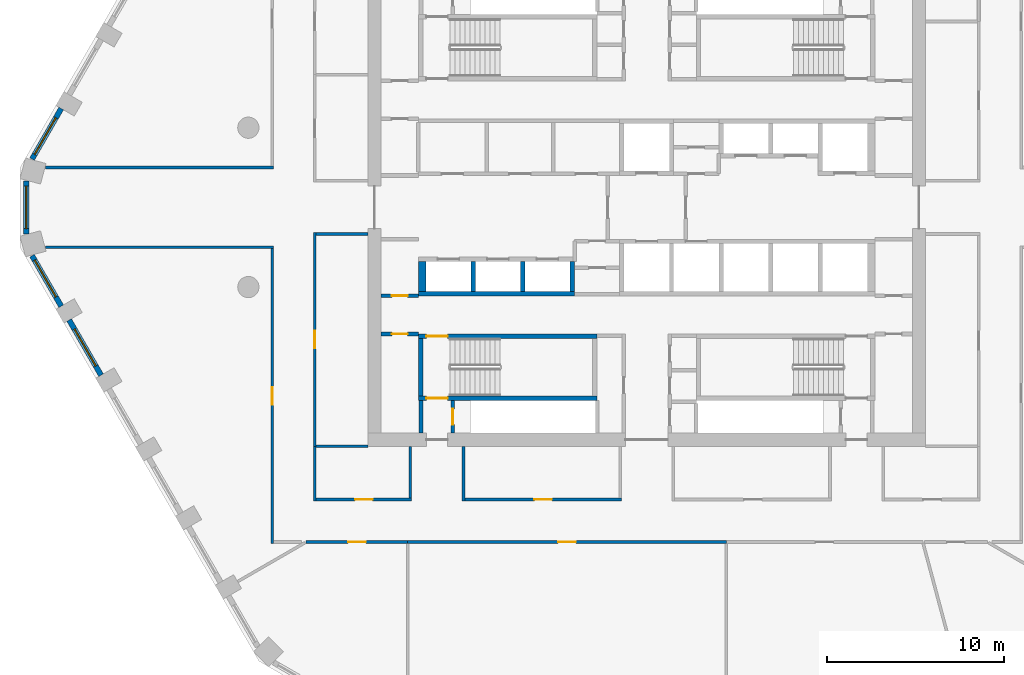
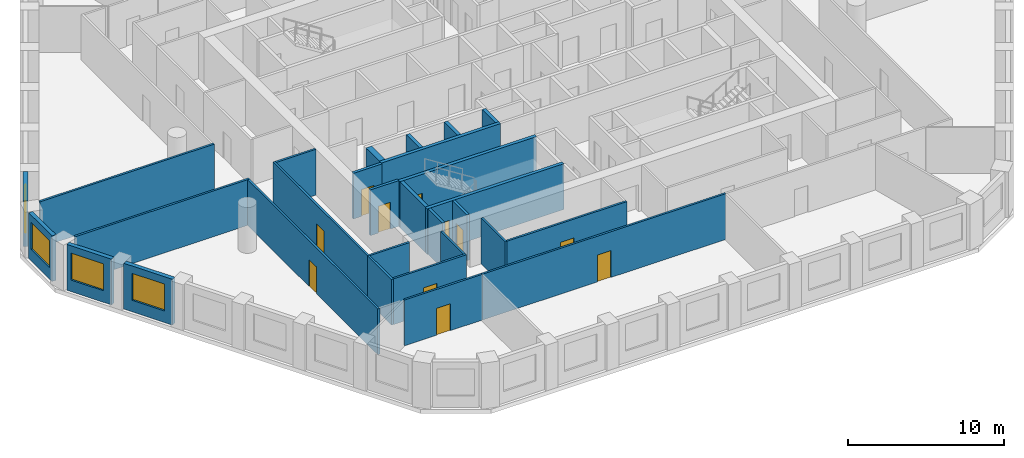
# One storey, part 2 of 10: 29 walls, 11 doors, 4 windows, 15 openings.
"""IFC4 building model written with IfcOpenShell, lengths in metres."""

import ifcopenshell
import ifcopenshell.guid

model = None  # the IFC model being written
_history = None  # IfcOwnerHistory: only IFC2X3 demands one
_inside = {}  # id of a spatial element -> (the spatial element, [elements in it])
_under = {}  # id of a project, library or spatial element -> (it, [spatial elements below it])
_declared = {}  # id of a project -> (the project, [libraries it declares])
_typed = {}  # id of a type object -> (the type object, [elements of that type])
_made_of = {}  # id of a material, layer set ... -> (it, [elements and type objects made of it])


def new_model(schema):
    """Start an empty IFC model of exactly this schema.

    Asked for "IFC4X3", IfcOpenShell would pick the latest addendum, in which some entities
    have other attributes; the version numbers below select the first issue.
    IFC2X3 requires an IfcOwnerHistory on every rooted entity: one is made here for all.
    """
    global model, _history
    if schema == "IFC4X3":
        model = ifcopenshell.file(schema_version=(4, 3, 0, 0))
    else:
        model = ifcopenshell.file(schema=schema)
    _inside.clear()
    _under.clear()
    _declared.clear()
    _typed.clear()
    _made_of.clear()
    _history = None
    if model.schema == "IFC2X3":
        org = make("IfcOrganization", Name="unknown")
        user = make(
            "IfcPersonAndOrganization",
            ThePerson=make("IfcPerson", FamilyName="unknown"),
            TheOrganization=org,
        )
        app = make(
            "IfcApplication",
            ApplicationDeveloper=org,
            Version="unknown",
            ApplicationFullName="unknown",
            ApplicationIdentifier="unknown",
        )
        _history = make(
            "IfcOwnerHistory",
            OwningUser=user,
            OwningApplication=app,
            ChangeAction="ADDED",
            CreationDate=0,
        )
    return model


def make(cls, **values):
    """One entity of the class cls with the attributes given. An attribute that is None is left unset."""
    return model.create_entity(
        cls, **{name: value for name, value in values.items() if value is not None}
    )


def rooted(cls, **values):
    """An entity with a GlobalId (a new one), such as an element, a storey or a relation."""
    return make(cls, GlobalId=ifcopenshell.guid.new(), OwnerHistory=_history, **values)


def si_unit(unit_type, name, prefix=None):
    """IfcSIUnit, for example si_unit("LENGTHUNIT", "METRE", prefix="MILLI")."""
    return make("IfcSIUnit", UnitType=unit_type, Prefix=prefix, Name=name)


def assignment(units):
    """IfcUnitAssignment: the units of a project."""
    return None if units is None else make("IfcUnitAssignment", Units=units)


def point(xyz):
    """IfcCartesianPoint."""
    return None if xyz is None else make("IfcCartesianPoint", Coordinates=xyz)


def direction(xyz):
    """IfcDirection."""
    return None if xyz is None else make("IfcDirection", DirectionRatios=xyz)


def frame(location, z_axis=None, x_axis=None):
    """IfcAxis2Placement3D, a coordinate frame: its origin and axes. An axis left out is left unset."""
    return make(
        "IfcAxis2Placement3D",
        Location=point(location),
        Axis=direction(z_axis),
        RefDirection=direction(x_axis),
    )


def frame_2d(location, x_axis=None):
    """IfcAxis2Placement2D, a coordinate frame in the plane: its origin and x axis."""
    return make(
        "IfcAxis2Placement2D", Location=point(location), RefDirection=direction(x_axis)
    )


def origin():
    """The frame at (0, 0, 0) with its axes left unset."""
    return frame((0.0, 0.0, 0.0))


def place(relative_to, where):
    """IfcLocalPlacement: puts the frame where relative to a parent placement (None: the world)."""
    return make(
        "IfcLocalPlacement", PlacementRelTo=relative_to, RelativePlacement=where
    )


def context(
    kind, dimensions, precision=None, world=None, true_north=None, identifier=None
):
    """IfcGeometricRepresentationContext, for example the 3D "Model" context."""
    return make(
        "IfcGeometricRepresentationContext",
        ContextIdentifier=identifier,
        ContextType=kind,
        CoordinateSpaceDimension=dimensions,
        Precision=precision,
        WorldCoordinateSystem=world,
        TrueNorth=true_north,
    )


def subcontext(parent, identifier, kind, view, scale=None):
    """IfcGeometricRepresentationSubContext, for example "Body" below "Model"."""
    return make(
        "IfcGeometricRepresentationSubContext",
        ContextIdentifier=identifier,
        ContextType=kind,
        ParentContext=parent,
        TargetScale=scale,
        TargetView=view,
    )


def project(units=None, contexts=None):
    """IfcProject with its units and contexts."""
    return rooted(
        "IfcProject",
        Name="project",
        RepresentationContexts=contexts,
        UnitsInContext=assignment(units),
    )


def spatial(cls, under=None, at=None, **own):
    """A site, building, storey or space (cls), placed at a placement, below another one or the project."""
    s = rooted(cls, ObjectPlacement=at, **own)
    if under is not None:
        _under.setdefault(under.id(), (under, []))[1].append(s)
    return s


def polyline(points):
    """IfcPolyline through the points."""
    return make("IfcPolyline", Points=[point(p) for p in points])


def profile(cls, at=None, kind="AREA", **sizes):
    """A parametric profile (cls). Its sizes go by their IFC names, for example OverallWidth=200.0."""
    return make(cls, ProfileType=kind, Position=at, **sizes)


def rectangle(**sizes):
    """IfcRectangleProfileDef."""
    return profile("IfcRectangleProfileDef", **sizes)


def outline(outer, holes=None, kind="AREA"):
    """IfcArbitraryClosedProfileDef: a profile drawn as a closed curve; with holes, ...WithVoids."""
    if holes is None:
        return make("IfcArbitraryClosedProfileDef", ProfileType=kind, OuterCurve=outer)
    return make(
        "IfcArbitraryProfileDefWithVoids",
        ProfileType=kind,
        OuterCurve=outer,
        InnerCurves=holes,
    )


def extrude(swept, where, along, depth):
    """IfcExtrudedAreaSolid: the profile swept, set in the frame where, extruded along a direction by depth."""
    return make(
        "IfcExtrudedAreaSolid",
        SweptArea=swept,
        Position=where,
        ExtrudedDirection=direction(along),
        Depth=depth,
    )


def shape(context_of_items, identifier, shape_type, items):
    """IfcShapeRepresentation: the items that make up one representation, for example the "Body"."""
    return make(
        "IfcShapeRepresentation",
        ContextOfItems=context_of_items,
        RepresentationIdentifier=identifier,
        RepresentationType=shape_type,
        Items=items,
    )


def material(Name=None, Category=None):
    """IfcMaterial."""
    return make("IfcMaterial", Name=Name, Category=Category)


def layer(
    of_material, thickness, ventilated=None, Name=None, Category=None, Priority=None
):
    """IfcMaterialLayer: one layer of a wall or slab, of a material (None: an air gap)."""
    return make(
        "IfcMaterialLayer",
        Material=of_material,
        LayerThickness=thickness,
        IsVentilated=ventilated,
        Name=Name,
        Category=Category,
        Priority=Priority,
    )


def layer_set(layers, Name=None):
    """IfcMaterialLayerSet."""
    return make("IfcMaterialLayerSet", MaterialLayers=layers, LayerSetName=Name)


def made_of(thing, what):
    """Note that an element or type object is made of a material, layer set ...; save() writes the relation."""
    if what is not None:
        _made_of.setdefault(what.id(), (what, []))[1].append(thing)
    return thing


def type_object(cls, material=None, **own):
    """A type object (cls), such as IfcWallType, which elements share."""
    return made_of(rooted(cls, **own), material)


def element(
    cls,
    number,
    at=None,
    inside=None,
    cuts=None,
    type_object=None,
    material=None,
    context=None,
    identifier="Body",
    shape_type=None,
    held_by="IfcProductDefinitionShape",
    body=None,
    shapes=None,
    **own,
):
    """One element of the class cls, such as IfcWall. Its Tag is "e" and its number.

    at: its placement. inside: the storey or other place that contains it. cuts: it is an
    opening in that element (IfcRelVoidsElement). A single representation is given by context,
    identifier, shape_type and body (its items); several are given by shapes. held_by: the class
    of the entity that holds the representations. save() writes the other relations.
    """
    e = rooted(cls, Tag="e%d" % number, ObjectPlacement=at, **own)
    if body is not None:
        shapes = [shape(context, identifier, shape_type, body)]
    if shapes is not None:
        e.Representation = make(held_by, Representations=shapes)
    if inside is not None:
        _inside.setdefault(inside.id(), (inside, []))[1].append(e)
    if cuts is not None:
        rooted(
            "IfcRelVoidsElement", RelatingBuildingElement=cuts, RelatedOpeningElement=e
        )
    if type_object is not None:
        _typed.setdefault(type_object.id(), (type_object, []))[1].append(e)
    return made_of(e, material)


def fill(opening, filler):
    """IfcRelFillsElement: the door or window that sits in an opening."""
    return rooted(
        "IfcRelFillsElement",
        RelatingOpeningElement=opening,
        RelatedBuildingElement=filler,
    )


def aggregate(whole, parts):
    """IfcRelAggregates: a whole, such as a stair, and the parts it consists of."""
    return rooted("IfcRelAggregates", RelatingObject=whole, RelatedObjects=parts)


def save(model, path):
    """Write the relations noted so far, then the file.

    IfcRelAggregates (storeys below a building ...), IfcRelContainedInSpatialStructure (elements
    in a storey), IfcRelDefinesByType, IfcRelAssociatesMaterial and IfcRelDeclares: one each for
    every whole, place, type object, material and project.
    """
    for whole, parts in _under.values():
        aggregate(whole, parts)
    for where, things in _inside.values():
        rooted(
            "IfcRelContainedInSpatialStructure",
            RelatedElements=things,
            RelatingStructure=where,
        )
    for kind, things in _typed.values():
        rooted("IfcRelDefinesByType", RelatedObjects=things, RelatingType=kind)
    for what, things in _made_of.values():
        rooted("IfcRelAssociatesMaterial", RelatedObjects=things, RelatingMaterial=what)
    for by, libraries in _declared.values():
        rooted("IfcRelDeclares", RelatingContext=by, RelatedDefinitions=libraries)
    model.write(path)


model = new_model("IFC4")

# Units and contexts
model_context = context("Model", 3, precision=1e-05, world=origin(), true_north=direction((0.0, 1.0)))
body_context = subcontext(model_context, "Body", "Model", "MODEL_VIEW")
ifc_project = project(units=[si_unit("LENGTHUNIT", "METRE"), si_unit("AREAUNIT", "SQUARE_METRE"), si_unit("VOLUMEUNIT", "CUBIC_METRE"), si_unit("PLANEANGLEUNIT", "RADIAN"), si_unit("MASSUNIT", "GRAM", prefix="KILO")], contexts=[model_context])

# Site, building, storey
site_placement = place(None, origin())
site = spatial("IfcSite", under=ifc_project, at=site_placement, CompositionType="ELEMENT")
building_placement = place(site_placement, origin())
building = spatial("IfcBuilding", under=site, at=building_placement, Name="Dhurran Vertical Campus", CompositionType="ELEMENT")
storey_placement = place(building_placement, frame((0.0, 0.0, 144.300048828125)))
storey = spatial("IfcBuildingStorey", under=building, at=storey_placement, Name="L35", CompositionType="ELEMENT", Elevation=144.300048828125)

# Wall, opening, window
ifc_material_1 = material(Name="Precast concrete C50/60", Category="concrete")
ifc_layer_1 = layer(ifc_material_1, 0.300048828125)
ifc_layer_set_1 = layer_set([ifc_layer_1], Name="Precast concrete C50/60")
wall_type_1 = type_object("IfcWallType", Name="Precast spandrel wall 300", PredefinedType="SOLIDWALL", material=ifc_layer_set_1)
wall_1_placement = place(storey_placement, frame((-33.0693359375, 5.58203125, 0.0), z_axis=(0.0, 0.0, 1.0), x_axis=(-0.499981217486, -0.866036247602, 0.0)))
wall_1 = element("IfcWall", 1, at=wall_1_placement, inside=storey, type_object=wall_type_1, Name="EW1 L35.37", PredefinedType="SOLIDWALL", context=body_context, shape_type="SweptSolid", body=[
    extrude(rectangle(XDim=3.294189453125, YDim=0.300048828125, at=frame_2d((1.64697265625, 0.0))), origin(), (0.0, 0.0, 1.0), 3.574951171875),
])
opening_1_placement = place(wall_1_placement, frame((0.599609375, 0.0, 0.89990234375)))
opening_1 = element("IfcOpeningElement", 2, at=opening_1_placement, cuts=wall_1, Name="Opening WT1", PredefinedType="OPENING", context=body_context, shape_type="SweptSolid", body=[
    extrude(rectangle(XDim=2.39990234375, YDim=2.10009765625, at=frame_2d((1.199951171875, 1.050048828125))), frame((0.0, 0.159912109375, 0.0), z_axis=(0.0, -1.0, 0.0), x_axis=(1.0, 0.0, 0.0)), (0.0, 0.0, 1.0), 0.320068359375),
])
ifc_material_2 = material(Name="Aluminium frame with solar-control glass", Category="aluminium")
window_type = type_object("IfcWindowType", Name="Punched window 2400 x 2100", PartitioningType="SINGLE_PANEL", PredefinedType="WINDOW", material=ifc_material_2)
window_1_placement = place(opening_1_placement, origin())
window_1 = element("IfcWindow", 3, at=window_1_placement, inside=storey, type_object=window_type, Name="WT1 L35.37", OverallHeight=2.10009765625, OverallWidth=2.39990234375, PartitioningType="SINGLE_PANEL", PredefinedType="WINDOW", context=body_context, shape_type="SweptSolid", body=[
    extrude(rectangle(XDim=2.39990234375, YDim=2.10009765625, at=frame_2d((1.199951171875, 1.050048828125))), frame((0.0, 0.030029296875, 0.0), z_axis=(0.0, -1.0, 0.0), x_axis=(1.0, 0.0, 0.0)), (0.0, 0.0, 1.0), 0.06005859375),
])
fill(opening_1, window_1)

wall_2_placement = place(storey_placement, frame((-35.047119140625, 1.49462890625, 0.0), z_axis=(0.0, 0.0, 1.0), x_axis=(0.0, -1.0, 0.0)))
wall_2 = element("IfcWall", 4, at=wall_2_placement, inside=storey, type_object=wall_type_1, Name="EW1 L35.38", PredefinedType="SOLIDWALL", context=body_context, shape_type="SweptSolid", body=[
    extrude(rectangle(XDim=2.9892578125, YDim=0.300048828125, at=frame_2d((1.49462890625, 0.0))), origin(), (0.0, 0.0, 1.0), 3.574951171875),
])
opening_2_placement = place(wall_2_placement, frame((0.294677734375, 0.0, 0.89990234375)))
opening_2 = element("IfcOpeningElement", 5, at=opening_2_placement, cuts=wall_2, Name="Opening WT1", PredefinedType="OPENING", context=body_context, shape_type="SweptSolid", body=[
    extrude(rectangle(XDim=2.39990234375, YDim=2.10009765625, at=frame_2d((1.199951171875, 1.050048828125))), frame((0.0, 0.159912109375, 0.0), z_axis=(0.0, -1.0, 0.0), x_axis=(1.0, 0.0, 0.0)), (0.0, 0.0, 1.0), 0.320068359375),
])
window_2_placement = place(opening_2_placement, origin())
window_2 = element("IfcWindow", 6, at=window_2_placement, inside=storey, type_object=window_type, Name="WT1 L35.38", OverallHeight=2.10009765625, OverallWidth=2.39990234375, PartitioningType="SINGLE_PANEL", PredefinedType="WINDOW", context=body_context, shape_type="SweptSolid", body=[
    extrude(rectangle(XDim=2.39990234375, YDim=2.10009765625, at=frame_2d((1.199951171875, 1.050048828125))), frame((0.0, 0.030029296875, 0.0), z_axis=(0.0, -1.0, 0.0), x_axis=(1.0, 0.0, 0.0)), (0.0, 0.0, 1.0), 0.06005859375),
])
fill(opening_2, window_2)

wall_3_placement = place(storey_placement, frame((-34.71630859375, -2.729248046875, 0.0), z_axis=(0.0, 0.0, 1.0), x_axis=(0.499981217486, -0.866036247602, 0.0)))
wall_3 = element("IfcWall", 7, at=wall_3_placement, inside=storey, type_object=wall_type_1, Name="EW1 L35.39", PredefinedType="SOLIDWALL", context=body_context, shape_type="SweptSolid", body=[
    extrude(rectangle(XDim=3.294189453125, YDim=0.300048828125, at=frame_2d((1.64697265625, 0.0))), origin(), (0.0, 0.0, 1.0), 3.574951171875),
])
opening_3_placement = place(wall_3_placement, frame((0.294677734375, 0.0, 0.89990234375)))
opening_3 = element("IfcOpeningElement", 8, at=opening_3_placement, cuts=wall_3, Name="Opening WT1", PredefinedType="OPENING", context=body_context, shape_type="SweptSolid", body=[
    extrude(rectangle(XDim=2.39990234375, YDim=2.10009765625, at=frame_2d((1.199951171875, 1.050048828125))), frame((0.0, 0.159912109375, 0.0), z_axis=(0.0, -1.0, 0.0), x_axis=(1.0, 0.0, 0.0)), (0.0, 0.0, 1.0), 0.320068359375),
])
window_3_placement = place(opening_3_placement, origin())
window_3 = element("IfcWindow", 9, at=window_3_placement, inside=storey, type_object=window_type, Name="WT1 L35.39", OverallHeight=2.10009765625, OverallWidth=2.39990234375, PartitioningType="SINGLE_PANEL", PredefinedType="WINDOW", context=body_context, shape_type="SweptSolid", body=[
    extrude(rectangle(XDim=2.39990234375, YDim=2.10009765625, at=frame_2d((1.199951171875, 1.050048828125))), frame((0.0, 0.030029296875, 0.0), z_axis=(0.0, -1.0, 0.0), x_axis=(1.0, 0.0, 0.0)), (0.0, 0.0, 1.0), 0.06005859375),
])
fill(opening_3, window_3)

wall_4_placement = place(storey_placement, frame((-32.618896484375, -6.3623046875, 0.0), z_axis=(0.0, 0.0, 1.0), x_axis=(0.500027802648, -0.866009351323, 0.0)))
wall_4 = element("IfcWall", 10, at=wall_4_placement, inside=storey, type_object=wall_type_1, Name="EW1 L35.40", PredefinedType="SOLIDWALL", context=body_context, shape_type="SweptSolid", body=[
    extrude(rectangle(XDim=3.598876953125, YDim=0.300048828125, at=frame_2d((1.79931640625, 0.0))), origin(), (0.0, 0.0, 1.0), 3.574951171875),
])
opening_4_placement = place(wall_4_placement, frame((0.599609375, 0.0, 0.89990234375)))
opening_4 = element("IfcOpeningElement", 11, at=opening_4_placement, cuts=wall_4, Name="Opening WT1", PredefinedType="OPENING", context=body_context, shape_type="SweptSolid", body=[
    extrude(rectangle(XDim=2.39990234375, YDim=2.10009765625, at=frame_2d((1.199951171875, 1.050048828125))), frame((0.0, 0.159912109375, 0.0), z_axis=(0.0, -1.0, 0.0), x_axis=(1.0, 0.0, 0.0)), (0.0, 0.0, 1.0), 0.320068359375),
])
window_4_placement = place(opening_4_placement, origin())
window_4 = element("IfcWindow", 12, at=window_4_placement, inside=storey, type_object=window_type, Name="WT1 L35.40", OverallHeight=2.10009765625, OverallWidth=2.39990234375, PartitioningType="SINGLE_PANEL", PredefinedType="WINDOW", context=body_context, shape_type="SweptSolid", body=[
    extrude(rectangle(XDim=2.39990234375, YDim=2.10009765625, at=frame_2d((1.199951171875, 1.050048828125))), frame((0.0, 0.030029296875, 0.0), z_axis=(0.0, -1.0, 0.0), x_axis=(1.0, 0.0, 0.0)), (0.0, 0.0, 1.0), 0.06005859375),
])
fill(opening_4, window_4)

# Wall
ifc_material_3 = material(Name="Fire-rated masonry blockwork", Category="masonry")
ifc_layer_2 = layer(ifc_material_3, 0.199951171875)
ifc_layer_set_2 = layer_set([ifc_layer_2], Name="Fire-rated masonry blockwork")
wall_type_2 = type_object("IfcWallType", Name="co-FIRE-PARTITION-200", PredefinedType="PARTITIONING", material=ifc_layer_set_2)
wall_5_placement = place(storey_placement, frame((-12.75, -12.75, 0.0), z_axis=(0.0, 0.0, 1.0), x_axis=(0.0, 1.0, 0.0)))
element("IfcWall", 13, at=wall_5_placement, inside=storey, type_object=wall_type_2, Name="Core partition pass-ST3-o L35", PredefinedType="PARTITIONING", context=body_context, shape_type="SweptSolid", body=[
    extrude(rectangle(XDim=1.85009765625, YDim=0.199951171875, at=frame_2d((0.925048828125, 0.0))), origin(), (0.0, 0.0, 1.0), 3.574951171875),
])

# Wall, opening, door
wall_6_placement = place(storey_placement, frame((-10.949951171875, -12.75, 0.0), z_axis=(0.0, 0.0, 1.0), x_axis=(0.0, 1.0, 0.0)))
wall_6 = element("IfcWall", 14, at=wall_6_placement, inside=storey, type_object=wall_type_2, Name="Core partition pass-ST3-i L35", PredefinedType="PARTITIONING", context=body_context, shape_type="SweptSolid", body=[
    extrude(rectangle(XDim=1.85009765625, YDim=0.199951171875, at=frame_2d((0.925048828125, 0.0))), origin(), (0.0, 0.0, 1.0), 3.574951171875),
])
opening_5_placement = place(wall_6_placement, frame((0.47509765625, 0.0, 0.0)))
opening_5 = element("IfcOpeningElement", 15, at=opening_5_placement, cuts=wall_6, Name="Opening T10-C13", PredefinedType="OPENING", context=body_context, shape_type="SweptSolid", body=[
    extrude(rectangle(XDim=0.89990234375, YDim=2.10009765625, at=frame_2d((0.449951171875, 1.050048828125))), frame((0.0, 0.10986328125, 0.0), z_axis=(0.0, -1.0, 0.0), x_axis=(1.0, 0.0, 0.0)), (0.0, 0.0, 1.0), 0.219970703125),
])
ifc_material_4 = material(Name="Fire-rated timber door set", Category="wood")
door_type_1 = type_object("IfcDoorType", Name="co-D-ROOM 900x2100", OperationType="SINGLE_SWING_LEFT", PredefinedType="DOOR", material=ifc_material_4)
door_1_placement = place(opening_5_placement, origin())
door_1 = element("IfcDoor", 16, at=door_1_placement, inside=storey, type_object=door_type_1, Name="Riser room door L35", OperationType="SINGLE_SWING_LEFT", OverallHeight=2.10009765625, OverallWidth=0.89990234375, PredefinedType="DOOR", context=body_context, shape_type="SweptSolid", body=[
    extrude(rectangle(XDim=0.89990234375, YDim=2.10009765625, at=frame_2d((0.449951171875, 1.050048828125))), frame((0.0, 0.02490234375, 0.0), z_axis=(0.0, -1.0, 0.0), x_axis=(1.0, 0.0, 0.0)), (0.0, 0.0, 1.0), 0.050048828125),
])
fill(opening_5, door_1)

wall_7_placement = place(storey_placement, frame((-15.0, -7.14990234375, 0.0), z_axis=(0.0, 0.0, 1.0), x_axis=(1.0, 0.0, 0.0)))
wall_7 = element("IfcWall", 17, at=wall_7_placement, inside=storey, type_object=wall_type_2, Name="Core partition en-SW-w L35", PredefinedType="PARTITIONING", context=body_context, shape_type="SweptSolid", body=[
    extrude(rectangle(XDim=2.10009765625, YDim=0.199951171875, at=frame_2d((1.050048828125, 0.0))), origin(), (0.0, 0.0, 1.0), 3.574951171875),
])
opening_6_placement = place(wall_7_placement, frame((0.60009765625, 0.0, 0.0)))
opening_6 = element("IfcOpeningElement", 18, at=opening_6_placement, cuts=wall_7, Name="Opening T10-C19", PredefinedType="OPENING", context=body_context, shape_type="SweptSolid", body=[
    extrude(rectangle(XDim=0.89990234375, YDim=2.10009765625, at=frame_2d((0.449951171875, 1.050048828125))), frame((0.0, 0.10986328125, 0.0), z_axis=(0.0, -1.0, 0.0), x_axis=(1.0, 0.0, 0.0)), (0.0, 0.0, 1.0), 0.219970703125),
])
door_2_placement = place(opening_6_placement, origin())
door_2 = element("IfcDoor", 19, at=door_2_placement, inside=storey, type_object=door_type_1, Name="Print room door L35", OperationType="SINGLE_SWING_LEFT", OverallHeight=2.10009765625, OverallWidth=0.89990234375, PredefinedType="DOOR", context=body_context, shape_type="SweptSolid", body=[
    extrude(rectangle(XDim=0.89990234375, YDim=2.10009765625, at=frame_2d((0.449951171875, 1.050048828125))), frame((0.0, 0.02490234375, 0.0), z_axis=(0.0, -1.0, 0.0), x_axis=(1.0, 0.0, 0.0)), (0.0, 0.0, 1.0), 0.050048828125),
])
fill(opening_6, door_2)

wall_8_placement = place(storey_placement, frame((-15.0, -5.0, 0.0), z_axis=(0.0, 0.0, 1.0), x_axis=(1.0, 0.0, 0.0)))
wall_8 = element("IfcWall", 20, at=wall_8_placement, inside=storey, type_object=wall_type_2, Name="Core partition es-SW-w L35", PredefinedType="PARTITIONING", context=body_context, shape_type="SweptSolid", body=[
    extrude(rectangle(XDim=2.10009765625, YDim=0.199951171875, at=frame_2d((1.050048828125, 0.0))), origin(), (0.0, 0.0, 1.0), 3.574951171875),
])
opening_7_placement = place(wall_8_placement, frame((0.60009765625, 0.0, 0.0)))
opening_7 = element("IfcOpeningElement", 21, at=opening_7_placement, cuts=wall_8, Name="Opening T10-C20", PredefinedType="OPENING", context=body_context, shape_type="SweptSolid", body=[
    extrude(rectangle(XDim=0.89990234375, YDim=2.10009765625, at=frame_2d((0.449951171875, 1.050048828125))), frame((0.0, 0.10986328125, 0.0), z_axis=(0.0, -1.0, 0.0), x_axis=(1.0, 0.0, 0.0)), (0.0, 0.0, 1.0), 0.219970703125),
])
door_3_placement = place(opening_7_placement, origin())
door_3 = element("IfcDoor", 22, at=door_3_placement, inside=storey, type_object=door_type_1, Name="Pantry door L35", OperationType="SINGLE_SWING_LEFT", OverallHeight=2.10009765625, OverallWidth=0.89990234375, PredefinedType="DOOR", context=body_context, shape_type="SweptSolid", body=[
    extrude(rectangle(XDim=0.89990234375, YDim=2.10009765625, at=frame_2d((0.449951171875, 1.050048828125))), frame((0.0, 0.02490234375, 0.0), z_axis=(0.0, -1.0, 0.0), x_axis=(1.0, 0.0, 0.0)), (0.0, 0.0, 1.0), 0.050048828125),
])
fill(opening_7, door_3)

# Walls
ifc_material_5 = material(Name="Concrete C50/60", Category="concrete")
ifc_layer_3 = layer(ifc_material_5, 0.25)
ifc_layer_set_3 = layer_set([ifc_layer_3], Name="Concrete C50/60")
wall_type_3 = type_object("IfcWallType", Name="co-SHAFT-MASS-250", PredefinedType="SHEAR", material=ifc_layer_set_3)
wall_9_placement = place(storey_placement, origin())
element("IfcWall", 23, at=wall_9_placement, inside=storey, type_object=wall_type_3, Name="Lift shaft wall S L35 1", PredefinedType="SHEAR", context=body_context, shape_type="SweptSolid", body=[
    extrude(outline(polyline([(-12.89990234375, -5.0), (-4.074951171875, -5.0), (-4.074951171875, -4.75), (-12.89990234375, -4.75), (-12.89990234375, -5.0)])), origin(), (0.0, 0.0, 1.0), 3.574951171875),
])
wall_10_placement = place(storey_placement, origin())
element("IfcWall", 24, at=wall_10_placement, inside=storey, type_object=wall_type_3, Name="Lift shaft wall S L35 3", PredefinedType="SHEAR", context=body_context, shape_type="SweptSolid", body=[
    extrude(outline(polyline([(-12.89990234375, -4.75), (-12.47509765625, -4.75), (-12.47509765625, -3.050048828125), (-12.89990234375, -3.050048828125), (-12.89990234375, -4.75)])), origin(), (0.0, 0.0, 1.0), 3.574951171875),
])
wall_11_placement = place(storey_placement, origin())
element("IfcWall", 25, at=wall_11_placement, inside=storey, type_object=wall_type_3, Name="Lift shaft wall S L35 4", PredefinedType="SHEAR", context=body_context, shape_type="SweptSolid", body=[
    extrude(outline(polyline([(-9.925048828125, -4.75), (-9.675048828125, -4.75), (-9.675048828125, -3.050048828125), (-9.925048828125, -3.050048828125), (-9.925048828125, -4.75)])), origin(), (0.0, 0.0, 1.0), 3.574951171875),
])
wall_12_placement = place(storey_placement, origin())
element("IfcWall", 26, at=wall_12_placement, inside=storey, type_object=wall_type_3, Name="Lift shaft wall S L35 5", PredefinedType="SHEAR", context=body_context, shape_type="SweptSolid", body=[
    extrude(outline(polyline([(-7.125, -4.75), (-6.875, -4.75), (-6.875, -3.050048828125), (-7.125, -3.050048828125), (-7.125, -4.75)])), origin(), (0.0, 0.0, 1.0), 3.574951171875),
])
wall_13_placement = place(storey_placement, origin())
element("IfcWall", 27, at=wall_13_placement, inside=storey, type_object=wall_type_3, Name="Lift shaft wall S L35 6", PredefinedType="SHEAR", context=body_context, shape_type="SweptSolid", body=[
    extrude(outline(polyline([(-4.324951171875, -4.75), (-4.074951171875, -4.75), (-4.074951171875, -3.050048828125), (-4.324951171875, -3.050048828125), (-4.324951171875, -4.75)])), origin(), (0.0, 0.0, 1.0), 3.574951171875),
])

# Wall, opening, door
ifc_material_6 = material(Name="Concrete C40/50", Category="concrete")
ifc_layer_4 = layer(ifc_material_6, 0.25)
ifc_layer_set_4 = layer_set([ifc_layer_4], Name="Concrete C40/50")
wall_type_4 = type_object("IfcWallType", Name="co-STAIR-WALL-250", PredefinedType="SHEAR", material=ifc_layer_set_4)
wall_14_placement = place(storey_placement, frame((-12.89990234375, -10.77490234375, 0.0), z_axis=(0.0, 0.0, 1.0), x_axis=(1.0, 0.0, 0.0)))
wall_14 = element("IfcWall", 28, at=wall_14_placement, inside=storey, type_object=wall_type_4, Name="Stair ST3 enclosure wall L35", PredefinedType="SHEAR", context=body_context, shape_type="SweptSolid", body=[
    extrude(rectangle(XDim=10.099853515625, YDim=0.25, at=frame_2d((5.0498046875, 0.0))), origin(), (0.0, 0.0, 1.0), 3.574951171875),
])
opening_8_placement = place(wall_14_placement, frame((0.449951171875, 0.0, 0.0)))
opening_8 = element("IfcOpeningElement", 29, at=opening_8_placement, cuts=wall_14, Name="Opening XS3", PredefinedType="OPENING", context=body_context, shape_type="SweptSolid", body=[
    extrude(rectangle(XDim=1.199951171875, YDim=2.10009765625, at=frame_2d((0.60009765625, 1.050048828125))), frame((0.0, 0.135009765625, 0.0), z_axis=(0.0, -1.0, 0.0), x_axis=(1.0, 0.0, 0.0)), (0.0, 0.0, 1.0), 0.27001953125),
])
ifc_material_7 = material(Name="Fire-rated steel door set", Category="steel")
door_type_2 = type_object("IfcDoorType", Name="co-D-STAIR-EXIT 1200x2100", OperationType="SINGLE_SWING_RIGHT", PredefinedType="DOOR", material=ifc_material_7)
door_4_placement = place(opening_8_placement, origin())
door_4 = element("IfcDoor", 30, at=door_4_placement, inside=storey, type_object=door_type_2, Name="Stair ST3 discharge door L35", OperationType="SINGLE_SWING_RIGHT", OverallHeight=2.10009765625, OverallWidth=1.199951171875, PredefinedType="DOOR", context=body_context, shape_type="SweptSolid", body=[
    extrude(rectangle(XDim=1.199951171875, YDim=2.10009765625, at=frame_2d((0.60009765625, 1.050048828125))), frame((0.0, 0.02490234375, 0.0), z_axis=(0.0, -1.0, 0.0), x_axis=(1.0, 0.0, 0.0)), (0.0, 0.0, 1.0), 0.050048828125),
])
fill(opening_8, door_4)

wall_15_placement = place(storey_placement, frame((-12.89990234375, -7.27490234375, 0.0), z_axis=(0.0, 0.0, 1.0), x_axis=(1.0, 0.0, 0.0)))
wall_15 = element("IfcWall", 31, at=wall_15_placement, inside=storey, type_object=wall_type_4, Name="Stair ST3 enclosure wall L35", PredefinedType="SHEAR", context=body_context, shape_type="SweptSolid", body=[
    extrude(rectangle(XDim=10.099853515625, YDim=0.25, at=frame_2d((5.0498046875, 0.0))), origin(), (0.0, 0.0, 1.0), 3.574951171875),
])
opening_9_placement = place(wall_15_placement, frame((0.449951171875, 0.0, 0.0)))
opening_9 = element("IfcOpeningElement", 32, at=opening_9_placement, cuts=wall_15, Name="Opening SD3", PredefinedType="OPENING", context=body_context, shape_type="SweptSolid", body=[
    extrude(rectangle(XDim=1.199951171875, YDim=2.10009765625, at=frame_2d((0.60009765625, 1.050048828125))), frame((0.0, 0.135009765625, 0.0), z_axis=(0.0, -1.0, 0.0), x_axis=(1.0, 0.0, 0.0)), (0.0, 0.0, 1.0), 0.27001953125),
])
ifc_material_8 = material(Name="Fire-rated steel door set", Category="steel")
door_type_3 = type_object("IfcDoorType", Name="co-D-STAIR 1200x2100", OperationType="SINGLE_SWING_LEFT", PredefinedType="DOOR", material=ifc_material_8)
door_5_placement = place(opening_9_placement, origin())
door_5 = element("IfcDoor", 33, at=door_5_placement, inside=storey, type_object=door_type_3, Name="Stair ST3 door L35", OperationType="SINGLE_SWING_LEFT", OverallHeight=2.10009765625, OverallWidth=1.199951171875, PredefinedType="DOOR", context=body_context, shape_type="SweptSolid", body=[
    extrude(rectangle(XDim=1.199951171875, YDim=2.10009765625, at=frame_2d((0.60009765625, 1.050048828125))), frame((0.0, 0.02490234375, 0.0), z_axis=(0.0, -1.0, 0.0), x_axis=(1.0, 0.0, 0.0)), (0.0, 0.0, 1.0), 0.050048828125),
])
fill(opening_9, door_5)

# Walls
wall_16_placement = place(storey_placement, frame((-12.77490234375, -10.64990234375, 0.0), z_axis=(0.0, 0.0, 1.0), x_axis=(0.0, 1.0, 0.0)))
element("IfcWall", 34, at=wall_16_placement, inside=storey, type_object=wall_type_4, Name="Stair ST3 enclosure wall L35", PredefinedType="SHEAR", context=body_context, shape_type="SweptSolid", body=[
    extrude(rectangle(XDim=3.25, YDim=0.25, at=frame_2d((1.625, 0.0))), origin(), (0.0, 0.0, 1.0), 3.574951171875),
])
ifc_material_9 = material(Name="Gypsum board corridor wall on steel studs", Category="steel")
ifc_layer_5 = layer(ifc_material_9, 0.14990234375)
ifc_layer_set_5 = layer_set([ifc_layer_5], Name="Gypsum board corridor wall on steel studs")
wall_type_5 = type_object("IfcWallType", Name="fl-CW-150 corridor wall", PredefinedType="PARTITIONING", material=ifc_layer_set_5)
for number, where, z_axis, x_axis, name in (
    (35, (-21.074951171875, -2.25, 0.0), (0.0, 0.0, 1.0), (-1.0, 0.0, 0.0), "Partition 35-01"),
    (36, (-33.9677734375, 2.25, 0.0), (0.0, 0.0, 1.0), (1.0, 0.0, 0.0), "Partition 35-02"),
):
    element("IfcWall", number, at=place(storey_placement, frame(where, z_axis=z_axis, x_axis=x_axis)), inside=storey, type_object=wall_type_5, Name=name, PredefinedType="PARTITIONING", context=body_context, shape_type="SweptSolid", body=[
        extrude(rectangle(XDim=12.892822265625, YDim=0.14990234375, at=frame_2d((6.4462890625, 0.0))), origin(), (0.0, 0.0, 1.0), 3.574951171875),
    ])

# Wall, opening, door
wall_17_placement = place(storey_placement, frame((-21.14990234375, -2.324951171875, 0.0), z_axis=(0.0, 0.0, 1.0), x_axis=(0.0, -1.0, 0.0)))
wall_17 = element("IfcWall", 37, at=wall_17_placement, inside=storey, type_object=wall_type_5, Name="Partition 35-05", PredefinedType="PARTITIONING", context=body_context, shape_type="SweptSolid", body=[
    extrude(rectangle(XDim=16.650146484375, YDim=0.14990234375, at=frame_2d((8.3251953125, 0.0))), origin(), (0.0, 0.0, 1.0), 3.574951171875),
])
opening_10_placement = place(wall_17_placement, frame((7.824951171875, 0.0, 0.0)))
opening_10 = element("IfcOpeningElement", 38, at=opening_10_placement, cuts=wall_17, Name="Opening T10.01", PredefinedType="OPENING", context=body_context, shape_type="SweptSolid", body=[
    extrude(rectangle(XDim=1.0, YDim=2.10009765625, at=frame_2d((0.5, 1.050048828125))), frame((0.0, 0.0849609375, 0.0), z_axis=(0.0, -1.0, 0.0), x_axis=(1.0, 0.0, 0.0)), (0.0, 0.0, 1.0), 0.169921875),
])
ifc_material_10 = material(Name="Solid-core timber door set, fire-rated", Category="wood")
door_type_4 = type_object("IfcDoorType", Name="fl-D-1000x2100", OperationType="SINGLE_SWING_LEFT", PredefinedType="DOOR", material=ifc_material_10)
door_6_placement = place(opening_10_placement, origin())
door_6 = element("IfcDoor", 39, at=door_6_placement, inside=storey, type_object=door_type_4, Name="Door 35.01", OperationType="SINGLE_SWING_RIGHT", OverallHeight=2.10009765625, OverallWidth=1.0, PredefinedType="DOOR", context=body_context, shape_type="SweptSolid", body=[
    extrude(rectangle(XDim=1.0, YDim=2.10009765625, at=frame_2d((0.5, 1.050048828125))), frame((0.0, 0.02490234375, 0.0), z_axis=(0.0, -1.0, 0.0), x_axis=(1.0, 0.0, 0.0)), (0.0, 0.0, 1.0), 0.050048828125),
])
fill(opening_10, door_6)

wall_18_placement = place(storey_placement, frame((-19.236083984375, -18.89990234375, 0.0), z_axis=(0.0, 0.0, 1.0), x_axis=(1.0, 0.0, 0.0)))
wall_18 = element("IfcWall", 40, at=wall_18_placement, inside=storey, type_object=wall_type_5, Name="Partition 35-09", PredefinedType="PARTITIONING", context=body_context, shape_type="SweptSolid", body=[
    extrude(rectangle(XDim=5.736083984375, YDim=0.14990234375, at=frame_2d((2.8681640625, 0.0))), origin(), (0.0, 0.0, 1.0), 3.574951171875),
])
opening_11_placement = place(wall_18_placement, frame((2.367919921875, 0.0, 0.0)))
opening_11 = element("IfcOpeningElement", 41, at=opening_11_placement, cuts=wall_18, Name="Opening T10.04", PredefinedType="OPENING", context=body_context, shape_type="SweptSolid", body=[
    extrude(rectangle(XDim=1.0, YDim=2.10009765625, at=frame_2d((0.5, 1.050048828125))), frame((0.0, 0.0849609375, 0.0), z_axis=(0.0, -1.0, 0.0), x_axis=(1.0, 0.0, 0.0)), (0.0, 0.0, 1.0), 0.169921875),
])
door_7_placement = place(opening_11_placement, origin())
door_7 = element("IfcDoor", 42, at=door_7_placement, inside=storey, type_object=door_type_4, Name="Door 35.04", OperationType="SINGLE_SWING_RIGHT", OverallHeight=2.10009765625, OverallWidth=1.0, PredefinedType="DOOR", context=body_context, shape_type="SweptSolid", body=[
    extrude(rectangle(XDim=1.0, YDim=2.10009765625, at=frame_2d((0.5, 1.050048828125))), frame((0.0, 0.02490234375, 0.0), z_axis=(0.0, -1.0, 0.0), x_axis=(1.0, 0.0, 0.0)), (0.0, 0.0, 1.0), 0.050048828125),
])
fill(opening_11, door_7)

# Wall
wall_19_placement = place(storey_placement, frame((-18.75, -16.574951171875, 0.0), z_axis=(0.0, 0.0, 1.0), x_axis=(0.0, 1.0, 0.0)))
element("IfcWall", 43, at=wall_19_placement, inside=storey, type_object=wall_type_5, Name="Partition 35-11", PredefinedType="PARTITIONING", context=body_context, shape_type="SweptSolid", body=[
    extrude(rectangle(XDim=3.074951171875, YDim=0.14990234375, at=frame_2d((1.53759765625, 0.0))), origin(), (0.0, 0.0, 1.0), 3.574951171875),
])

# Wall, opening, door
wall_20_placement = place(storey_placement, frame((-13.27490234375, -16.5, 0.0), z_axis=(0.0, 0.0, 1.0), x_axis=(-1.0, 0.0, 0.0)))
wall_20 = element("IfcWall", 44, at=wall_20_placement, inside=storey, type_object=wall_type_5, Name="Partition 35-12", PredefinedType="PARTITIONING", context=body_context, shape_type="SweptSolid", body=[
    extrude(rectangle(XDim=5.400146484375, YDim=0.14990234375, at=frame_2d((2.7001953125, 0.0))), origin(), (0.0, 0.0, 1.0), 3.574951171875),
])
opening_12_placement = place(wall_20_placement, frame((2.199951171875, 0.0, 0.0)))
opening_12 = element("IfcOpeningElement", 45, at=opening_12_placement, cuts=wall_20, Name="Opening T10.08", PredefinedType="OPENING", context=body_context, shape_type="SweptSolid", body=[
    extrude(rectangle(XDim=1.0, YDim=2.10009765625, at=frame_2d((0.5, 1.050048828125))), frame((0.0, 0.0849609375, 0.0), z_axis=(0.0, -1.0, 0.0), x_axis=(1.0, 0.0, 0.0)), (0.0, 0.0, 1.0), 0.169921875),
])
door_8_placement = place(opening_12_placement, origin())
door_8 = element("IfcDoor", 46, at=door_8_placement, inside=storey, type_object=door_type_4, Name="Door 35.08", OperationType="SINGLE_SWING_RIGHT", OverallHeight=2.10009765625, OverallWidth=1.0, PredefinedType="DOOR", context=body_context, shape_type="SweptSolid", body=[
    extrude(rectangle(XDim=1.0, YDim=2.10009765625, at=frame_2d((0.5, 1.050048828125))), frame((0.0, 0.02490234375, 0.0), z_axis=(0.0, -1.0, 0.0), x_axis=(1.0, 0.0, 0.0)), (0.0, 0.0, 1.0), 0.050048828125),
])
fill(opening_12, door_8)

wall_21_placement = place(storey_placement, frame((-18.75, -13.5, 0.0), z_axis=(0.0, 0.0, 1.0), x_axis=(0.0, 1.0, 0.0)))
wall_21 = element("IfcWall", 47, at=wall_21_placement, inside=storey, type_object=wall_type_5, Name="Partition 35-13", PredefinedType="PARTITIONING", context=body_context, shape_type="SweptSolid", body=[
    extrude(rectangle(XDim=12.074951171875, YDim=0.14990234375, at=frame_2d((6.03759765625, 0.0))), origin(), (0.0, 0.0, 1.0), 3.574951171875),
])
opening_13_placement = place(wall_21_placement, frame((5.53759765625, 0.0, 0.0)))
opening_13 = element("IfcOpeningElement", 48, at=opening_13_placement, cuts=wall_21, Name="Opening T10.05", PredefinedType="OPENING", context=body_context, shape_type="SweptSolid", body=[
    extrude(rectangle(XDim=1.0, YDim=2.10009765625, at=frame_2d((0.5, 1.050048828125))), frame((0.0, 0.0849609375, 0.0), z_axis=(0.0, -1.0, 0.0), x_axis=(1.0, 0.0, 0.0)), (0.0, 0.0, 1.0), 0.169921875),
])
door_9_placement = place(opening_13_placement, origin())
door_9 = element("IfcDoor", 49, at=door_9_placement, inside=storey, type_object=door_type_4, Name="Door 35.05", OperationType="SINGLE_SWING_LEFT", OverallHeight=2.10009765625, OverallWidth=1.0, PredefinedType="DOOR", context=body_context, shape_type="SweptSolid", body=[
    extrude(rectangle(XDim=1.0, YDim=2.10009765625, at=frame_2d((0.5, 1.050048828125))), frame((0.0, 0.02490234375, 0.0), z_axis=(0.0, -1.0, 0.0), x_axis=(1.0, 0.0, 0.0)), (0.0, 0.0, 1.0), 0.050048828125),
])
fill(opening_13, door_9)

# Wall
wall_22_placement = place(storey_placement, frame((-18.675048828125, -1.5, 0.0), z_axis=(0.0, 0.0, 1.0), x_axis=(1.0, 0.0, 0.0)))
element("IfcWall", 50, at=wall_22_placement, inside=storey, type_object=wall_type_5, Name="Partition 35-15", PredefinedType="PARTITIONING", context=body_context, shape_type="SweptSolid", body=[
    extrude(rectangle(XDim=2.925048828125, YDim=0.14990234375, at=frame_2d((1.46240234375, 0.0))), origin(), (0.0, 0.0, 1.0), 3.574951171875),
])

# Wall, opening, door
wall_23_placement = place(storey_placement, frame((-13.5, -18.89990234375, 0.0), z_axis=(0.0, 0.0, 1.0), x_axis=(1.0, 0.0, 0.0)))
wall_23 = element("IfcWall", 51, at=wall_23_placement, inside=storey, type_object=wall_type_5, Name="Partition 35-26", PredefinedType="PARTITIONING", context=body_context, shape_type="SweptSolid", body=[
    extrude(rectangle(XDim=18.0, YDim=0.14990234375, at=frame_2d((9.0, 0.0))), origin(), (0.0, 0.0, 1.0), 3.574951171875),
])
opening_14_placement = place(wall_23_placement, frame((8.5, 0.0, 0.0)))
opening_14 = element("IfcOpeningElement", 52, at=opening_14_placement, cuts=wall_23, Name="Opening T10.13", PredefinedType="OPENING", context=body_context, shape_type="SweptSolid", body=[
    extrude(rectangle(XDim=1.0, YDim=2.10009765625, at=frame_2d((0.5, 1.050048828125))), frame((0.0, 0.0849609375, 0.0), z_axis=(0.0, -1.0, 0.0), x_axis=(1.0, 0.0, 0.0)), (0.0, 0.0, 1.0), 0.169921875),
])
door_10_placement = place(opening_14_placement, origin())
door_10 = element("IfcDoor", 53, at=door_10_placement, inside=storey, type_object=door_type_4, Name="Door 35.13", OperationType="SINGLE_SWING_RIGHT", OverallHeight=2.10009765625, OverallWidth=1.0, PredefinedType="DOOR", context=body_context, shape_type="SweptSolid", body=[
    extrude(rectangle(XDim=1.0, YDim=2.10009765625, at=frame_2d((0.5, 1.050048828125))), frame((0.0, 0.02490234375, 0.0), z_axis=(0.0, -1.0, 0.0), x_axis=(1.0, 0.0, 0.0)), (0.0, 0.0, 1.0), 0.050048828125),
])
fill(opening_14, door_10)

# Walls
wall_24_placement = place(storey_placement, frame((-13.35009765625, -13.5, 0.0), z_axis=(0.0, 0.0, 1.0), x_axis=(0.0, -1.0, 0.0)))
element("IfcWall", 54, at=wall_24_placement, inside=storey, type_object=wall_type_5, Name="Partition 35-27", PredefinedType="PARTITIONING", context=body_context, shape_type="SweptSolid", body=[
    extrude(rectangle(XDim=2.925048828125, YDim=0.14990234375, at=frame_2d((1.46240234375, 0.0))), origin(), (0.0, 0.0, 1.0), 3.574951171875),
])
wall_25_placement = place(storey_placement, frame((-10.35009765625, -16.574951171875, 0.0), z_axis=(0.0, 0.0, 1.0), x_axis=(0.0, 1.0, 0.0)))
element("IfcWall", 55, at=wall_25_placement, inside=storey, type_object=wall_type_5, Name="Partition 35-29", PredefinedType="PARTITIONING", context=body_context, shape_type="SweptSolid", body=[
    extrude(rectangle(XDim=3.074951171875, YDim=0.14990234375, at=frame_2d((1.53759765625, 0.0))), origin(), (0.0, 0.0, 1.0), 3.574951171875),
])

# Wall, opening, door
wall_26_placement = place(storey_placement, frame((-1.425048828125, -16.5, 0.0), z_axis=(0.0, 0.0, 1.0), x_axis=(-1.0, 0.0, 0.0)))
wall_26 = element("IfcWall", 56, at=wall_26_placement, inside=storey, type_object=wall_type_5, Name="Partition 35-30", PredefinedType="PARTITIONING", context=body_context, shape_type="SweptSolid", body=[
    extrude(rectangle(XDim=8.849853515625, YDim=0.14990234375, at=frame_2d((4.4248046875, 0.0))), origin(), (0.0, 0.0, 1.0), 3.574951171875),
])
opening_15_placement = place(wall_26_placement, frame((3.925048828125, 0.0, 0.0)))
opening_15 = element("IfcOpeningElement", 57, at=opening_15_placement, cuts=wall_26, Name="Opening T10.11", PredefinedType="OPENING", context=body_context, shape_type="SweptSolid", body=[
    extrude(rectangle(XDim=1.0, YDim=2.10009765625, at=frame_2d((0.5, 1.050048828125))), frame((0.0, 0.0849609375, 0.0), z_axis=(0.0, -1.0, 0.0), x_axis=(1.0, 0.0, 0.0)), (0.0, 0.0, 1.0), 0.169921875),
])
door_11_placement = place(opening_15_placement, origin())
door_11 = element("IfcDoor", 58, at=door_11_placement, inside=storey, type_object=door_type_4, Name="Door 35.11", OperationType="SINGLE_SWING_RIGHT", OverallHeight=2.10009765625, OverallWidth=1.0, PredefinedType="DOOR", context=body_context, shape_type="SweptSolid", body=[
    extrude(rectangle(XDim=1.0, YDim=2.10009765625, at=frame_2d((0.5, 1.050048828125))), frame((0.0, 0.02490234375, 0.0), z_axis=(0.0, -1.0, 0.0), x_axis=(1.0, 0.0, 0.0)), (0.0, 0.0, 1.0), 0.050048828125),
])
fill(opening_15, door_11)

# Wall
ifc_material_11 = material(Name="Gypsum board partition on steel studs", Category="steel")
ifc_layer_6 = layer(ifc_material_11, 0.14990234375)
ifc_layer_set_6 = layer_set([ifc_layer_6], Name="Gypsum board partition on steel studs")
wall_type_6 = type_object("IfcWallType", Name="fl-PW-150 fixed partition", PredefinedType="PARTITIONING", material=ifc_layer_set_6)
wall_27_placement = place(storey_placement, frame((-15.75, -13.5, 0.0), z_axis=(0.0, 0.0, 1.0), x_axis=(-1.0, 0.0, 0.0)))
element("IfcWall", 59, at=wall_27_placement, inside=storey, type_object=wall_type_6, Name="Partition 35-14", PredefinedType="PARTITIONING", context=body_context, shape_type="SweptSolid", body=[
    extrude(rectangle(XDim=2.925048828125, YDim=0.14990234375, at=frame_2d((1.46240234375, 0.0))), origin(), (0.0, 0.0, 1.0), 3.574951171875),
])

save(model, "model.ifc")
